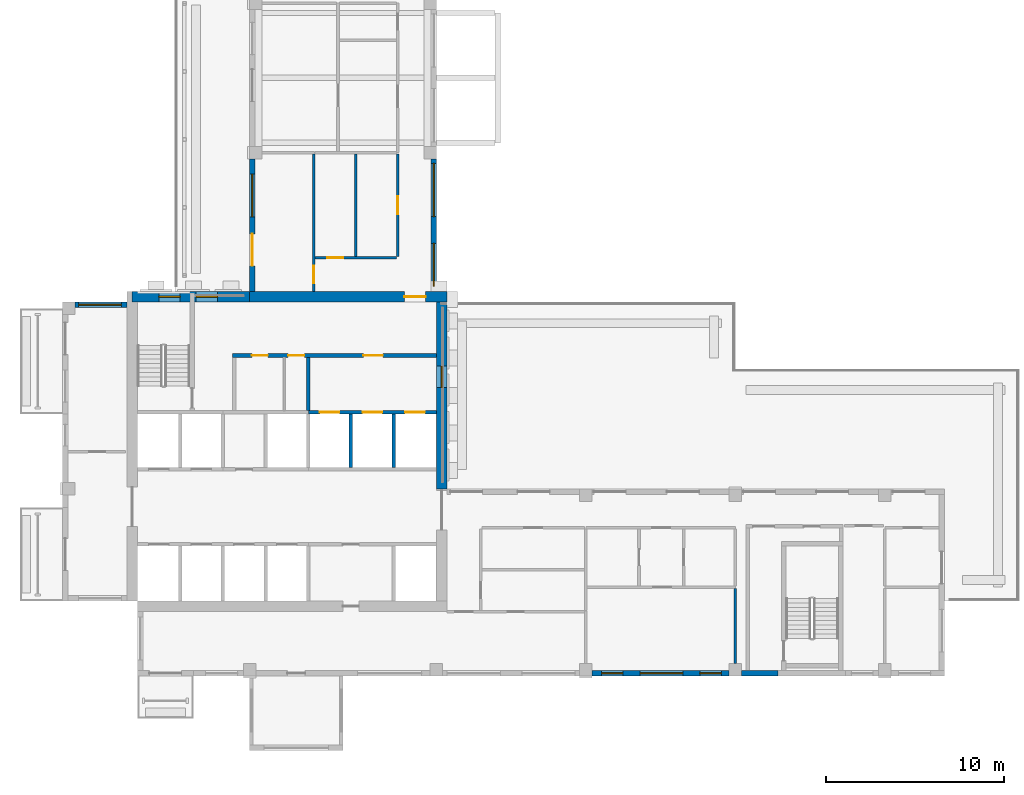
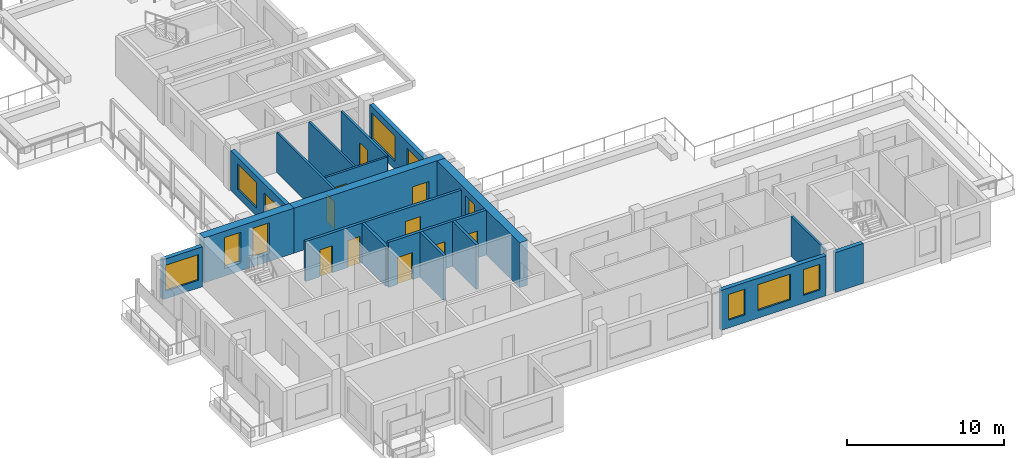
# One storey, part 5 of 12: 18 walls, 11 doors, 10 windows, 21 openings.
"""IFC4 building model written with IfcOpenShell, lengths in metres."""

from ifc_helpers import new_model, si_unit, direction, frame, frame_2d, origin, place, context, subcontext, project, spatial, rectangle, extrude, source, transform, mapped, material, layer, layer_set, type_object, element, fill, save


model = new_model("IFC4")

# Units and contexts
model_context = context("Model", 3, precision=1e-05, world=origin(), true_north=direction((0.0, 1.0)))
body_context = subcontext(model_context, "Body", "Model", "MODEL_VIEW")
ifc_project = project(units=[si_unit("LENGTHUNIT", "METRE"), si_unit("AREAUNIT", "SQUARE_METRE"), si_unit("VOLUMEUNIT", "CUBIC_METRE"), si_unit("PLANEANGLEUNIT", "RADIAN"), si_unit("MASSUNIT", "GRAM", prefix="KILO")], contexts=[model_context])

# Site, building, storey
site_placement = place(None, origin())
site = spatial("IfcSite", under=ifc_project, at=site_placement, CompositionType="ELEMENT")
building_placement = place(site_placement, origin())
building = spatial("IfcBuilding", under=site, at=building_placement, Name="Aurelian Terraces", CompositionType="ELEMENT")
storey_placement = place(building_placement, frame((0.0, 0.0, 284.5)))
storey = spatial("IfcBuildingStorey", under=building, at=storey_placement, Name="L64", CompositionType="ELEMENT", Elevation=284.5)

# Wall, opening, door
ifc_material_1 = material(Name="Concrete fc' 55 MPa", Category="concrete")
ifc_layer_1 = layer(ifc_material_1, 0.6)
ifc_layer_set_1 = layer_set([ifc_layer_1], Name="CORE WALL 600 FC55")
wall_type_1 = type_object("IfcWallType", Name="CORE WALL 600 FC55", PredefinedType="SHEAR", material=ifc_layer_set_1)
wall_1_placement = place(storey_placement, frame((10.5, 21.3, 0.0), z_axis=(0.0, 0.0, 1.0), x_axis=(1.0, 0.0, 0.0)))
wall_1 = element("IfcWall", 1, at=wall_1_placement, inside=storey, type_object=wall_type_1, Name="Core wall N L64", PredefinedType="SHEAR", context=body_context, shape_type="SweptSolid", body=[
    extrude(rectangle(XDim=11.1, YDim=0.6, at=frame_2d((5.55, 0.0))), origin(), (0.0, 0.0, 1.0), 3.5),
])
opening_1_placement = place(wall_1_placement, frame((8.7, 0.0, 0.0)))
opening_1 = element("IfcOpeningElement", 2, at=opening_1_placement, cuts=wall_1, Name="Opening 66723", PredefinedType="OPENING", context=body_context, shape_type="SweptSolid", body=[
    extrude(rectangle(XDim=1.2, YDim=2.1, at=frame_2d((0.6, 1.05))), frame((0.0, 0.31, 0.0), z_axis=(0.0, -1.0, 0.0), x_axis=(1.0, 0.0, 0.0)), (0.0, 0.0, 1.0), 0.62),
])
ifc_material_2 = material(Name="Steel door leaf", Category="steel")
door_type_1 = type_object("IfcDoorType", Name="Core fire door 1200x2100 right", OperationType="SINGLE_SWING_RIGHT", PredefinedType="DOOR", material=ifc_material_2)
shared_shape_1 = source(origin(), body_context, "Body", "SweptSolid", [
    extrude(rectangle(XDim=1.2, YDim=2.1, at=frame_2d((0.6, 1.05))), frame((0.0, 0.025, 0.0), z_axis=(0.0, -1.0, 0.0), x_axis=(1.0, 0.0, 0.0)), (0.0, 0.0, 1.0), 0.05),
])
door_1_placement = place(opening_1_placement, origin())
door_1 = element("IfcDoor", 3, at=door_1_placement, inside=storey, type_object=door_type_1, Name="Core door 66723", OperationType="SINGLE_SWING_RIGHT", OverallHeight=2.1, OverallWidth=1.2, PredefinedType="DOOR", context=body_context, shape_type="MappedRepresentation", body=[
    mapped(shared_shape_1, transform((0.0, 0.0, 0.0), scale=1.0)),
])
fill(opening_1, door_1)

# Wall, opening, window
wall_2_placement = place(storey_placement, frame((21.3, 10.5, 0.0), z_axis=(0.0, 0.0, 1.0), x_axis=(0.0, 1.0, 0.0)))
wall_2 = element("IfcWall", 4, at=wall_2_placement, inside=storey, type_object=wall_type_1, Name="Core wall E L64 exposed", PredefinedType="SHEAR", context=body_context, shape_type="SweptSolid", body=[
    extrude(rectangle(XDim=10.5, YDim=0.6, at=frame_2d((5.25, 0.0))), origin(), (0.0, 0.0, 1.0), 3.5),
])
opening_2_placement = place(wall_2_placement, frame((5.7, 0.0, 0.6)))
opening_2 = element("IfcOpeningElement", 5, at=opening_2_placement, cuts=wall_2, Name="Opening W-CL", PredefinedType="OPENING", context=body_context, shape_type="SweptSolid", body=[
    extrude(rectangle(XDim=1.2, YDim=2.4, at=frame_2d((0.6, 1.2))), frame((0.0, 0.31, 0.0), z_axis=(0.0, -1.0, 0.0), x_axis=(1.0, 0.0, 0.0)), (0.0, 0.0, 1.0), 0.62),
])
ifc_material_3 = material(Name="Fire-resisting glazing", Category="glass")
window_type_1 = type_object("IfcWindowType", Name="Core lobby window 1200x2400", PartitioningType="SINGLE_PANEL", PredefinedType="WINDOW", material=ifc_material_3)
window_1_placement = place(opening_2_placement, origin())
window_1 = element("IfcWindow", 6, at=window_1_placement, inside=storey, type_object=window_type_1, Name="Lobby window L64 E1", OverallHeight=2.4, OverallWidth=1.2, PartitioningType="SINGLE_PANEL", PredefinedType="WINDOW", context=body_context, shape_type="SweptSolid", body=[
    extrude(rectangle(XDim=1.2, YDim=2.4, at=frame_2d((0.6, 1.2))), frame((0.0, 0.03, 0.0), z_axis=(0.0, -1.0, 0.0), x_axis=(1.0, 0.0, 0.0)), (0.0, 0.0, 1.0), 0.06),
])
fill(opening_2, window_1)

# Wall, openings, windows
wall_3_placement = place(storey_placement, frame((3.9, 21.3, 0.0), z_axis=(0.0, 0.0, 1.0), x_axis=(1.0, 0.0, 0.0)))
wall_3 = element("IfcWall", 7, at=wall_3_placement, inside=storey, type_object=wall_type_1, Name="Core wall N L64 exposed", PredefinedType="SHEAR", context=body_context, shape_type="SweptSolid", body=[
    extrude(rectangle(XDim=6.6, YDim=0.6, at=frame_2d((3.3, 0.0))), origin(), (0.0, 0.0, 1.0), 3.5),
])
shared_shape_2 = source(origin(), body_context, "Body", "SweptSolid", [
    extrude(rectangle(XDim=1.2, YDim=2.4, at=frame_2d((0.6, 1.2))), frame((0.0, 0.31, 0.0), z_axis=(0.0, -1.0, 0.0), x_axis=(1.0, 0.0, 0.0)), (0.0, 0.0, 1.0), 0.62),
])
opening_3_placement = place(wall_3_placement, frame((1.5, 0.0, 0.6)))
opening_3 = element("IfcOpeningElement", 8, at=opening_3_placement, cuts=wall_3, Name="Opening W-CL", PredefinedType="OPENING", context=body_context, shape_type="MappedRepresentation", body=[
    mapped(shared_shape_2, transform((0.0, 0.0, 0.0), scale=1.0)),
])
opening_4_placement = place(wall_3_placement, frame((3.6, 0.0, 0.6)))
opening_4 = element("IfcOpeningElement", 9, at=opening_4_placement, cuts=wall_3, Name="Opening W-CL", PredefinedType="OPENING", context=body_context, shape_type="MappedRepresentation", body=[
    mapped(shared_shape_2, transform((0.0, 0.0, 0.0), scale=1.0)),
])
shared_shape_3 = source(origin(), body_context, "Body", "SweptSolid", [
    extrude(rectangle(XDim=1.2, YDim=2.4, at=frame_2d((0.6, 1.2))), frame((0.0, 0.03, 0.0), z_axis=(0.0, -1.0, 0.0), x_axis=(1.0, 0.0, 0.0)), (0.0, 0.0, 1.0), 0.06),
])
window_2_placement = place(opening_3_placement, origin())
window_2 = element("IfcWindow", 10, at=window_2_placement, inside=storey, type_object=window_type_1, Name="Lobby window L64 N2", OverallHeight=2.4, OverallWidth=1.2, PartitioningType="SINGLE_PANEL", PredefinedType="WINDOW", context=body_context, shape_type="MappedRepresentation", body=[
    mapped(shared_shape_3, transform((0.0, 0.0, 0.0), scale=1.0)),
])
fill(opening_3, window_2)
window_3_placement = place(opening_4_placement, origin())
window_3 = element("IfcWindow", 11, at=window_3_placement, inside=storey, type_object=window_type_1, Name="Lobby window L64 N3", OverallHeight=2.4, OverallWidth=1.2, PartitioningType="SINGLE_PANEL", PredefinedType="WINDOW", context=body_context, shape_type="MappedRepresentation", body=[
    mapped(shared_shape_3, transform((0.0, 0.0, 0.0), scale=1.0)),
])
fill(opening_4, window_3)

# Wall, openings, doors
ifc_material_4 = material(Name="Gypsum board on steel studs", Category="steel")
ifc_layer_2 = layer(ifc_material_4, 0.2)
ifc_layer_set_2 = layer_set([ifc_layer_2], Name="Core partition 200")
wall_type_2 = type_object("IfcWallType", Name="Core partition 200", PredefinedType="PARTITIONING", material=ifc_layer_set_2)
wall_4_placement = place(storey_placement, frame((9.55, 18.0, 0.0), z_axis=(0.0, 0.0, 1.0), x_axis=(1.0, 0.0, 0.0)))
wall_4 = element("IfcWall", 12, at=wall_4_placement, inside=storey, type_object=wall_type_2, Name="L64 core wall CP-NORTH", PredefinedType="PARTITIONING", context=body_context, shape_type="SweptSolid", body=[
    extrude(rectangle(XDim=11.45, YDim=0.2, at=frame_2d((5.725, 0.0))), origin(), (0.0, 0.0, 1.0), 3.1),
])
shared_shape_4 = source(origin(), body_context, "Body", "SweptSolid", [
    extrude(rectangle(XDim=0.9, YDim=2.1, at=frame_2d((0.45, 1.05))), frame((0.0, 0.11, 0.0), z_axis=(0.0, -1.0, 0.0), x_axis=(1.0, 0.0, 0.0)), (0.0, 0.0, 1.0), 0.22),
])
opening_5_placement = place(wall_4_placement, frame((1.075, 0.0, 0.0)))
opening_5 = element("IfcOpeningElement", 13, at=opening_5_placement, cuts=wall_4, Name="Opening 66712", PredefinedType="OPENING", context=body_context, shape_type="MappedRepresentation", body=[
    mapped(shared_shape_4, transform((0.0, 0.0, 0.0), scale=1.0)),
])
opening_6_placement = place(wall_4_placement, frame((3.125, 0.0, 0.0)))
opening_6 = element("IfcOpeningElement", 14, at=opening_6_placement, cuts=wall_4, Name="Opening 66713", PredefinedType="OPENING", context=body_context, shape_type="MappedRepresentation", body=[
    mapped(shared_shape_4, transform((0.0, 0.0, 0.0), scale=1.0)),
])
shared_shape_5 = source(origin(), body_context, "Body", "SweptSolid", [
    extrude(rectangle(XDim=1.1, YDim=2.1, at=frame_2d((0.55, 1.05))), frame((0.0, 0.11, 0.0), z_axis=(0.0, -1.0, 0.0), x_axis=(1.0, 0.0, 0.0)), (0.0, 0.0, 1.0), 0.22),
])
opening_7_placement = place(wall_4_placement, frame((7.35, 0.0, 0.0)))
opening_7 = element("IfcOpeningElement", 15, at=opening_7_placement, cuts=wall_4, Name="Opening 66714", PredefinedType="OPENING", context=body_context, shape_type="MappedRepresentation", body=[
    mapped(shared_shape_5, transform((0.0, 0.0, 0.0), scale=1.0)),
])
door_type_2 = type_object("IfcDoorType", Name="Core service door 900x2100 right", OperationType="SINGLE_SWING_RIGHT", PredefinedType="DOOR", material=ifc_material_2)
shared_shape_6 = source(origin(), body_context, "Body", "SweptSolid", [
    extrude(rectangle(XDim=0.9, YDim=2.1, at=frame_2d((0.45, 1.05))), frame((0.0, 0.025, 0.0), z_axis=(0.0, -1.0, 0.0), x_axis=(1.0, 0.0, 0.0)), (0.0, 0.0, 1.0), 0.05),
])
door_2_placement = place(opening_5_placement, origin())
door_2 = element("IfcDoor", 16, at=door_2_placement, inside=storey, type_object=door_type_2, Name="Room door 66712", OperationType="SINGLE_SWING_RIGHT", OverallHeight=2.1, OverallWidth=0.9, PredefinedType="DOOR", context=body_context, shape_type="MappedRepresentation", body=[
    mapped(shared_shape_6, transform((0.0, 0.0, 0.0), scale=1.0)),
])
fill(opening_5, door_2)
door_type_3 = type_object("IfcDoorType", Name="Core riser door 900x2100", OperationType="SINGLE_SWING_LEFT", PredefinedType="DOOR", material=ifc_material_2)
door_3_placement = place(opening_6_placement, origin())
door_3 = element("IfcDoor", 17, at=door_3_placement, inside=storey, type_object=door_type_3, Name="Room door 66713", OperationType="SINGLE_SWING_LEFT", OverallHeight=2.1, OverallWidth=0.9, PredefinedType="DOOR", context=body_context, shape_type="MappedRepresentation", body=[
    mapped(shared_shape_6, transform((0.0, 0.0, 0.0), scale=1.0)),
])
fill(opening_6, door_3)
door_type_4 = type_object("IfcDoorType", Name="Core fire door 1100x2100 right", OperationType="SINGLE_SWING_RIGHT", PredefinedType="DOOR", material=ifc_material_2)
shared_shape_7 = source(origin(), body_context, "Body", "SweptSolid", [
    extrude(rectangle(XDim=1.1, YDim=2.1, at=frame_2d((0.55, 1.05))), frame((0.0, 0.025, 0.0), z_axis=(0.0, -1.0, 0.0), x_axis=(1.0, 0.0, 0.0)), (0.0, 0.0, 1.0), 0.05),
])
door_4_placement = place(opening_7_placement, origin())
door_4 = element("IfcDoor", 18, at=door_4_placement, inside=storey, type_object=door_type_4, Name="Ff lobby door 66714", OperationType="SINGLE_SWING_RIGHT", OverallHeight=2.1, OverallWidth=1.1, PredefinedType="DOOR", context=body_context, shape_type="MappedRepresentation", body=[
    mapped(shared_shape_7, transform((0.0, 0.0, 0.0), scale=1.0)),
])
fill(opening_7, door_4)

# Wall
ifc_material_5 = material(Name="Terracotta rainscreen cladding", Category="masonry")
ifc_layer_3 = layer(ifc_material_5, 0.3)
ifc_layer_set_3 = layer_set([ifc_layer_3], Name="EW-300")
wall_type_3 = type_object("IfcWallType", Name="EW-300", PredefinedType="STANDARD", material=ifc_layer_set_3)
wall_5_placement = place(storey_placement, frame((38.15, 0.15, 0.0), z_axis=(0.0, 0.0, 1.0), x_axis=(1.0, 0.0, 0.0)))
element("IfcWall", 19, at=wall_5_placement, inside=storey, type_object=wall_type_3, Name="External wall L64 F01.6", PredefinedType="STANDARD", context=body_context, shape_type="SweptSolid", body=[
    extrude(rectangle(XDim=2.05, YDim=0.3, at=frame_2d((1.025, 0.0))), origin(), (0.0, 0.0, 1.0), 3.1),
])

# Wall, opening, window
wall_6_placement = place(storey_placement, frame((3.6, 20.85, 0.0), z_axis=(0.0, 0.0, 1.0), x_axis=(-1.0, 0.0, 0.0)))
wall_6 = element("IfcWall", 20, at=wall_6_placement, inside=storey, type_object=wall_type_3, Name="External wall L64 F11.20", PredefinedType="STANDARD", context=body_context, shape_type="SweptSolid", body=[
    extrude(rectangle(XDim=2.9, YDim=0.3, at=frame_2d((1.45, 0.0))), origin(), (0.0, 0.0, 1.0), 3.1),
])
shared_shape_8 = source(origin(), body_context, "Body", "SweptSolid", [
    extrude(rectangle(XDim=2.4, YDim=2.0, at=frame_2d((1.2, 1.0))), frame((0.0, 0.16, 0.0), z_axis=(0.0, -1.0, 0.0), x_axis=(1.0, 0.0, 0.0)), (0.0, 0.0, 1.0), 0.32),
])
opening_8_placement = place(wall_6_placement, frame((0.3, 0.0, 0.6)))
opening_8 = element("IfcOpeningElement", 21, at=opening_8_placement, cuts=wall_6, Name="Opening W2420", PredefinedType="OPENING", context=body_context, shape_type="MappedRepresentation", body=[
    mapped(shared_shape_8, transform((0.0, 0.0, 0.0), scale=1.0)),
])
ifc_material_6 = material(Name="Clear glazing", Category="glass")
window_type_2 = type_object("IfcWindowType", Name="W-2400x2000", PartitioningType="SINGLE_PANEL", PredefinedType="WINDOW", material=ifc_material_6)
shared_shape_9 = source(origin(), body_context, "Body", "SweptSolid", [
    extrude(rectangle(XDim=2.4, YDim=2.0, at=frame_2d((1.2, 1.0))), frame((0.0, 0.03, 0.0), z_axis=(0.0, -1.0, 0.0), x_axis=(1.0, 0.0, 0.0)), (0.0, 0.0, 1.0), 0.06),
])
window_4_placement = place(opening_8_placement, origin())
window_4 = element("IfcWindow", 22, at=window_4_placement, inside=storey, type_object=window_type_2, Name="Window L64 L64-F11-20-0", OverallHeight=2.0, OverallWidth=2.4, PartitioningType="SINGLE_PANEL", PredefinedType="WINDOW", context=body_context, shape_type="MappedRepresentation", body=[
    mapped(shared_shape_9, transform((0.0, 0.0, 0.0), scale=1.0)),
])
fill(opening_8, window_4)

# Wall
ifc_layer_4 = layer(ifc_material_4, 0.15)
ifc_layer_set_4 = layer_set([ifc_layer_4], Name="Fire partition 150")
wall_type_4 = type_object("IfcWallType", Name="Fire partition 150", PredefinedType="PARTITIONING", material=ifc_layer_set_4)
wall_7_placement = place(storey_placement, frame((37.8, 0.699, 0.0), z_axis=(0.0, 0.0, 1.0), x_axis=(0.0, 1.0, 0.0)))
element("IfcWall", 23, at=wall_7_placement, inside=storey, type_object=wall_type_4, Name="Party wall", PredefinedType="PARTITIONING", context=body_context, shape_type="SweptSolid", body=[
    extrude(rectangle(XDim=4.201, YDim=0.15, at=frame_2d((2.1005, 0.0))), origin(), (0.0, 0.0, 1.0), 3.1),
])

# Wall, openings, windows
shared_shape_10 = source(origin(), body_context, "Body", "SweptSolid", [
    extrude(rectangle(XDim=7.7, YDim=0.3, at=frame_2d((3.85, 0.0))), origin(), (0.0, 0.0, 1.0), 3.1),
])
wall_8_placement = place(storey_placement, frame((29.75, 0.15, 0.0), z_axis=(0.0, 0.0, 1.0), x_axis=(1.0, 0.0, 0.0)))
wall_8 = element("IfcWall", 24, at=wall_8_placement, inside=storey, type_object=wall_type_3, Name="External wall L64 F01.5", PredefinedType="STANDARD", context=body_context, shape_type="MappedRepresentation", body=[
    mapped(shared_shape_10, transform((0.0, 0.0, 0.0), scale=1.0)),
])
opening_9_placement = place(wall_8_placement, frame((0.5375, 0.0, 0.6)))
opening_9 = element("IfcOpeningElement", 25, at=opening_9_placement, cuts=wall_8, Name="Opening W1220", PredefinedType="OPENING", context=body_context, shape_type="SweptSolid", body=[
    extrude(rectangle(XDim=1.2, YDim=2.0, at=frame_2d((0.6, 1.0))), frame((0.0, 0.16, 0.0), z_axis=(0.0, -1.0, 0.0), x_axis=(1.0, 0.0, 0.0)), (0.0, 0.0, 1.0), 0.32),
])
shared_shape_11 = source(origin(), body_context, "Body", "SweptSolid", [
    extrude(rectangle(XDim=1.2, YDim=2.0, at=frame_2d((0.6, 1.0))), frame((0.0, 0.16, 0.0), z_axis=(0.0, -1.0, 0.0), x_axis=(1.0, 0.0, 0.0)), (0.0, 0.0, 1.0), 0.32),
])
opening_10_placement = place(wall_8_placement, frame((6.0625, 0.0, 0.6)))
opening_10 = element("IfcOpeningElement", 26, at=opening_10_placement, cuts=wall_8, Name="Opening W1220", PredefinedType="OPENING", context=body_context, shape_type="MappedRepresentation", body=[
    mapped(shared_shape_11, transform((0.0, 0.0, 0.0), scale=1.0)),
])
opening_11_placement = place(wall_8_placement, frame((2.7, 0.0, 0.6)))
opening_11 = element("IfcOpeningElement", 27, at=opening_11_placement, cuts=wall_8, Name="Opening W2420", PredefinedType="OPENING", context=body_context, shape_type="SweptSolid", body=[
    extrude(rectangle(XDim=2.4, YDim=2.0, at=frame_2d((1.2, 1.0))), frame((0.0, 0.16, 0.0), z_axis=(0.0, -1.0, 0.0), x_axis=(1.0, 0.0, 0.0)), (0.0, 0.0, 1.0), 0.32),
])
window_type_3 = type_object("IfcWindowType", Name="W-1200x2000", PartitioningType="SINGLE_PANEL", PredefinedType="WINDOW", material=ifc_material_6)
window_5_placement = place(opening_9_placement, origin())
window_5 = element("IfcWindow", 28, at=window_5_placement, inside=storey, type_object=window_type_3, Name="Window L64 L64-F01-05-0", OverallHeight=2.0, OverallWidth=1.2, PartitioningType="SINGLE_PANEL", PredefinedType="WINDOW", context=body_context, shape_type="SweptSolid", body=[
    extrude(rectangle(XDim=1.2, YDim=2.0, at=frame_2d((0.6, 1.0))), frame((0.0, 0.03, 0.0), z_axis=(0.0, -1.0, 0.0), x_axis=(1.0, 0.0, 0.0)), (0.0, 0.0, 1.0), 0.06),
])
fill(opening_9, window_5)
window_6_placement = place(opening_11_placement, origin())
window_6 = element("IfcWindow", 29, at=window_6_placement, inside=storey, type_object=window_type_2, Name="Window L64 L64-F01-05-G0-21", OverallHeight=2.0, OverallWidth=2.4, PartitioningType="SINGLE_PANEL", PredefinedType="WINDOW", context=body_context, shape_type="SweptSolid", body=[
    extrude(rectangle(XDim=2.4, YDim=2.0, at=frame_2d((1.2, 1.0))), frame((0.0, 0.03, 0.0), z_axis=(0.0, -1.0, 0.0), x_axis=(1.0, 0.0, 0.0)), (0.0, 0.0, 1.0), 0.06),
])
fill(opening_11, window_6)
shared_shape_12 = source(origin(), body_context, "Body", "SweptSolid", [
    extrude(rectangle(XDim=1.2, YDim=2.0, at=frame_2d((0.6, 1.0))), frame((0.0, 0.03, 0.0), z_axis=(0.0, -1.0, 0.0), x_axis=(1.0, 0.0, 0.0)), (0.0, 0.0, 1.0), 0.06),
])
window_7_placement = place(opening_10_placement, origin())
window_7 = element("IfcWindow", 30, at=window_7_placement, inside=storey, type_object=window_type_3, Name="Window L64 L64-F01-05-1", OverallHeight=2.0, OverallWidth=1.2, PartitioningType="SINGLE_PANEL", PredefinedType="WINDOW", context=body_context, shape_type="MappedRepresentation", body=[
    mapped(shared_shape_12, transform((0.0, 0.0, 0.0), scale=1.0)),
])
fill(opening_10, window_7)

shared_shape_13 = source(origin(), body_context, "Body", "SweptSolid", [
    extrude(rectangle(XDim=7.45, YDim=0.3, at=frame_2d((3.725, 0.0))), origin(), (0.0, 0.0, 1.0), 3.1),
])
wall_9_placement = place(storey_placement, frame((20.85, 21.6, 0.0), z_axis=(0.0, 0.0, 1.0), x_axis=(0.0, 1.0, 0.0)))
wall_9 = element("IfcWall", 31, at=wall_9_placement, inside=storey, type_object=wall_type_3, Name="External wall L64 F04.11", PredefinedType="STANDARD", context=body_context, shape_type="MappedRepresentation", body=[
    mapped(shared_shape_13, transform((0.0, 0.0, 0.0), scale=1.0)),
])
opening_12_placement = place(wall_9_placement, frame((0.3, 0.0, 0.6)))
opening_12 = element("IfcOpeningElement", 32, at=opening_12_placement, cuts=wall_9, Name="Opening W2420", PredefinedType="OPENING", context=body_context, shape_type="MappedRepresentation", body=[
    mapped(shared_shape_8, transform((0.0, 0.0, 0.0), scale=1.0)),
])
shared_shape_14 = source(origin(), body_context, "Body", "SweptSolid", [
    extrude(rectangle(XDim=3.0, YDim=2.0, at=frame_2d((1.5, 1.0))), frame((0.0, 0.16, 0.0), z_axis=(0.0, -1.0, 0.0), x_axis=(1.0, 0.0, 0.0)), (0.0, 0.0, 1.0), 0.32),
])
opening_13_placement = place(wall_9_placement, frame((4.2, 0.0, 0.6)))
opening_13 = element("IfcOpeningElement", 33, at=opening_13_placement, cuts=wall_9, Name="Opening W3020", PredefinedType="OPENING", context=body_context, shape_type="MappedRepresentation", body=[
    mapped(shared_shape_14, transform((0.0, 0.0, 0.0), scale=1.0)),
])
window_type_4 = type_object("IfcWindowType", Name="W-3000x2000", PartitioningType="SINGLE_PANEL", PredefinedType="WINDOW", material=ifc_material_6)
shared_shape_15 = source(origin(), body_context, "Body", "SweptSolid", [
    extrude(rectangle(XDim=3.0, YDim=2.0, at=frame_2d((1.5, 1.0))), frame((0.0, 0.03, 0.0), z_axis=(0.0, -1.0, 0.0), x_axis=(1.0, 0.0, 0.0)), (0.0, 0.0, 1.0), 0.06),
])
window_8_placement = place(opening_13_placement, origin())
window_8 = element("IfcWindow", 34, at=window_8_placement, inside=storey, type_object=window_type_4, Name="Window L64 L64-F04-11-1", OverallHeight=2.0, OverallWidth=3.0, PartitioningType="SINGLE_PANEL", PredefinedType="WINDOW", context=body_context, shape_type="MappedRepresentation", body=[
    mapped(shared_shape_15, transform((0.0, 0.0, 0.0), scale=1.0)),
])
fill(opening_13, window_8)
window_9_placement = place(opening_12_placement, origin())
window_9 = element("IfcWindow", 35, at=window_9_placement, inside=storey, type_object=window_type_2, Name="Window L64 L64-F04-11-0", OverallHeight=2.0, OverallWidth=2.4, PartitioningType="SINGLE_PANEL", PredefinedType="WINDOW", context=body_context, shape_type="MappedRepresentation", body=[
    mapped(shared_shape_9, transform((0.0, 0.0, 0.0), scale=1.0)),
])
fill(opening_12, window_9)

# Wall, openings, door, window
wall_10_placement = place(storey_placement, frame((10.65, 29.05, 0.0), z_axis=(0.0, 0.0, 1.0), x_axis=(0.0, -1.0, 0.0)))
wall_10 = element("IfcWall", 36, at=wall_10_placement, inside=storey, type_object=wall_type_3, Name="External wall L64 F06.15", PredefinedType="STANDARD", context=body_context, shape_type="MappedRepresentation", body=[
    mapped(shared_shape_13, transform((0.0, 0.0, 0.0), scale=1.0)),
])
shared_shape_16 = source(origin(), body_context, "Body", "SweptSolid", [
    extrude(rectangle(XDim=1.8, YDim=2.4, at=frame_2d((0.9, 1.2))), frame((0.0, 0.16, 0.0), z_axis=(0.0, -1.0, 0.0), x_axis=(1.0, 0.0, 0.0)), (0.0, 0.0, 1.0), 0.32),
])
opening_14_placement = place(wall_10_placement, frame((4.21, 0.0, 0.0)))
opening_14 = element("IfcOpeningElement", 37, at=opening_14_placement, cuts=wall_10, Name="Opening 86411", PredefinedType="OPENING", context=body_context, shape_type="MappedRepresentation", body=[
    mapped(shared_shape_16, transform((0.0, 0.0, 0.0), scale=1.0)),
])
opening_15_placement = place(wall_10_placement, frame((0.855, 0.0, 0.6)))
opening_15 = element("IfcOpeningElement", 38, at=opening_15_placement, cuts=wall_10, Name="Opening W2420", PredefinedType="OPENING", context=body_context, shape_type="MappedRepresentation", body=[
    mapped(shared_shape_8, transform((0.0, 0.0, 0.0), scale=1.0)),
])
door_type_5 = type_object("IfcDoorType", Name="BD-1800x2400", OperationType="SLIDING_TO_LEFT", PredefinedType="DOOR", material=ifc_material_6)
shared_shape_17 = source(origin(), body_context, "Body", "SweptSolid", [
    extrude(rectangle(XDim=1.8, YDim=2.4, at=frame_2d((0.9, 1.2))), frame((0.0, 0.025, 0.0), z_axis=(0.0, -1.0, 0.0), x_axis=(1.0, 0.0, 0.0)), (0.0, 0.0, 1.0), 0.05),
])
door_5_placement = place(opening_14_placement, origin())
door_5 = element("IfcDoor", 39, at=door_5_placement, inside=storey, type_object=door_type_5, Name="Terrace door L64 L64-F06-15.5", OperationType="SLIDING_TO_LEFT", OverallHeight=2.4, OverallWidth=1.8, PredefinedType="DOOR", context=body_context, shape_type="MappedRepresentation", body=[
    mapped(shared_shape_17, transform((0.0, 0.0, 0.0), scale=1.0)),
])
fill(opening_14, door_5)
window_10_placement = place(opening_15_placement, origin())
window_10 = element("IfcWindow", 40, at=window_10_placement, inside=storey, type_object=window_type_2, Name="Window L64 L64-F06-15-G2-146", OverallHeight=2.0, OverallWidth=2.4, PartitioningType="SINGLE_PANEL", PredefinedType="WINDOW", context=body_context, shape_type="MappedRepresentation", body=[
    mapped(shared_shape_9, transform((0.0, 0.0, 0.0), scale=1.0)),
])
fill(opening_15, window_10)

# Walls
ifc_material_7 = material(Name="Concrete fc' 40 MPa", Category="concrete")
ifc_layer_5 = layer(ifc_material_7, 0.2)
ifc_layer_set_5 = layer_set([ifc_layer_5], Name="Lift shaft wall 200")
wall_type_5 = type_object("IfcWallType", Name="Lift shaft wall 200", PredefinedType="SOLIDWALL", material=ifc_layer_set_5)
shared_shape_18 = source(origin(), body_context, "Body", "SweptSolid", [
    extrude(rectangle(XDim=3.0, YDim=0.2, at=frame_2d((1.5, 0.0))), origin(), (0.0, 0.0, 1.0), 3.5),
])
for number, where, z_axis, x_axis, name in (
    (41, (16.2, 11.7, 0.0), (0.0, 0.0, 1.0), (0.0, 1.0, 0.0), "L64 core wall CD-B5"),
    (42, (18.6, 11.7, 0.0), (0.0, 0.0, 1.0), (0.0, 1.0, 0.0), "L64 core wall CD-B6"),
):
    element("IfcWall", number, at=place(storey_placement, frame(where, z_axis=z_axis, x_axis=x_axis)), inside=storey, type_object=wall_type_5, Name=name, PredefinedType="SOLIDWALL", context=body_context, shape_type="MappedRepresentation", body=[
        mapped(shared_shape_18, transform((0.0, 0.0, 0.0), scale=1.0)),
    ])

# Wall, openings, doors
shared_shape_19 = source(origin(), body_context, "Body", "SweptSolid", [
    extrude(rectangle(XDim=7.2, YDim=0.2, at=frame_2d((3.6, 0.0))), origin(), (0.0, 0.0, 1.0), 3.5),
])
wall_11_placement = place(storey_placement, frame((13.8, 14.8, 0.0), z_axis=(0.0, 0.0, 1.0), x_axis=(1.0, 0.0, 0.0)))
wall_11 = element("IfcWall", 43, at=wall_11_placement, inside=storey, type_object=wall_type_5, Name="L64 core wall CF-BB3", PredefinedType="SOLIDWALL", context=body_context, shape_type="MappedRepresentation", body=[
    mapped(shared_shape_19, transform((0.0, 0.0, 0.0), scale=1.0)),
])
opening_16_placement = place(wall_11_placement, frame((0.65, 0.0, 0.0)))
opening_16 = element("IfcOpeningElement", 44, at=opening_16_placement, cuts=wall_11, Name="Opening 66708", PredefinedType="OPENING", context=body_context, shape_type="MappedRepresentation", body=[
    mapped(shared_shape_5, transform((0.0, 0.0, 0.0), scale=1.0)),
])
opening_17_placement = place(wall_11_placement, frame((3.05, 0.0, 0.0)))
opening_17 = element("IfcOpeningElement", 45, at=opening_17_placement, cuts=wall_11, Name="Opening 66709", PredefinedType="OPENING", context=body_context, shape_type="MappedRepresentation", body=[
    mapped(shared_shape_5, transform((0.0, 0.0, 0.0), scale=1.0)),
])
opening_18_placement = place(wall_11_placement, frame((5.45, 0.0, 0.0)))
opening_18 = element("IfcOpeningElement", 46, at=opening_18_placement, cuts=wall_11, Name="Opening 66710", PredefinedType="OPENING", context=body_context, shape_type="MappedRepresentation", body=[
    mapped(shared_shape_5, transform((0.0, 0.0, 0.0), scale=1.0)),
])
ifc_material_8 = material(Name="Stainless steel", Category="steel")
door_type_6 = type_object("IfcDoorType", Name="Lift landing door 1100x2100", OperationType="SLIDING_TO_LEFT", PredefinedType="DOOR", material=ifc_material_8)
door_6_placement = place(opening_16_placement, origin())
door_6 = element("IfcDoor", 47, at=door_6_placement, inside=storey, type_object=door_type_6, Name="Lift landing door F1 L64", OperationType="SLIDING_TO_LEFT", OverallHeight=2.1, OverallWidth=1.1, PredefinedType="DOOR", context=body_context, shape_type="MappedRepresentation", body=[
    mapped(shared_shape_7, transform((0.0, 0.0, 0.0), scale=1.0)),
])
fill(opening_16, door_6)
door_7_placement = place(opening_17_placement, origin())
door_7 = element("IfcDoor", 48, at=door_7_placement, inside=storey, type_object=door_type_6, Name="Lift landing door F2 L64", OperationType="SLIDING_TO_LEFT", OverallHeight=2.1, OverallWidth=1.1, PredefinedType="DOOR", context=body_context, shape_type="MappedRepresentation", body=[
    mapped(shared_shape_7, transform((0.0, 0.0, 0.0), scale=1.0)),
])
fill(opening_17, door_7)
door_8_placement = place(opening_18_placement, origin())
door_8 = element("IfcDoor", 49, at=door_8_placement, inside=storey, type_object=door_type_6, Name="Lift landing door F3 L64", OperationType="SLIDING_TO_LEFT", OverallHeight=2.1, OverallWidth=1.1, PredefinedType="DOOR", context=body_context, shape_type="MappedRepresentation", body=[
    mapped(shared_shape_7, transform((0.0, 0.0, 0.0), scale=1.0)),
])
fill(opening_18, door_8)

# Wall
shared_shape_20 = source(origin(), body_context, "Body", "SweptSolid", [
    extrude(rectangle(XDim=3.0, YDim=0.2, at=frame_2d((1.5, 0.0))), origin(), (0.0, 0.0, 1.0), 3.1),
])
wall_12_placement = place(storey_placement, frame((13.8, 14.9, 0.0), z_axis=(0.0, 0.0, 1.0), x_axis=(0.0, 1.0, 0.0)))
element("IfcWall", 50, at=wall_12_placement, inside=storey, type_object=wall_type_2, Name="L64 core wall CP-FFL", PredefinedType="PARTITIONING", context=body_context, shape_type="MappedRepresentation", body=[
    mapped(shared_shape_20, transform((0.0, 0.0, 0.0), scale=1.0)),
])

# Wall, opening, door
ifc_layer_6 = layer(ifc_material_4, 0.15)
ifc_layer_set_6 = layer_set([ifc_layer_6], Name="Partition 150")
wall_type_6 = type_object("IfcWallType", Name="Partition 150", PredefinedType="PARTITIONING", material=ifc_layer_set_6)
shared_shape_21 = source(origin(), body_context, "Body", "SweptSolid", [
    extrude(rectangle(XDim=4.575, YDim=0.15, at=frame_2d((2.2875, 0.0))), origin(), (0.0, 0.0, 1.0), 3.1),
])
wall_13_placement = place(storey_placement, frame((14.175, 23.5, 0.0), z_axis=(0.0, 0.0, 1.0), x_axis=(1.0, 0.0, 0.0)))
wall_13 = element("IfcWall", 51, at=wall_13_placement, inside=storey, type_object=wall_type_6, Name="Partition", PredefinedType="PARTITIONING", context=body_context, shape_type="MappedRepresentation", body=[
    mapped(shared_shape_21, transform((0.0, 0.0, 0.0), scale=1.0)),
])
shared_shape_22 = source(origin(), body_context, "Body", "SweptSolid", [
    extrude(rectangle(XDim=0.9, YDim=2.1, at=frame_2d((0.45, 1.05))), frame((0.0, 0.085, 0.0), z_axis=(0.0, -1.0, 0.0), x_axis=(1.0, 0.0, 0.0)), (0.0, 0.0, 1.0), 0.17),
])
opening_19_placement = place(wall_13_placement, frame((0.694, 0.0, 0.0)))
opening_19 = element("IfcOpeningElement", 52, at=opening_19_placement, cuts=wall_13, Name="Opening 764011", PredefinedType="OPENING", context=body_context, shape_type="MappedRepresentation", body=[
    mapped(shared_shape_22, transform((0.0, 0.0, 0.0), scale=1.0)),
])
ifc_material_9 = material(Name="Timber door leaf", Category="wood")
door_type_7 = type_object("IfcDoorType", Name="Room door 900x2100 right", OperationType="SINGLE_SWING_RIGHT", PredefinedType="DOOR", material=ifc_material_9)
door_9_placement = place(opening_19_placement, origin())
door_9 = element("IfcDoor", 53, at=door_9_placement, inside=storey, type_object=door_type_7, Name="Door 764011", OperationType="SINGLE_SWING_RIGHT", OverallHeight=2.1, OverallWidth=0.9, PredefinedType="DOOR", context=body_context, shape_type="MappedRepresentation", body=[
    mapped(shared_shape_6, transform((0.0, 0.0, 0.0), scale=1.0)),
])
fill(opening_19, door_9)

shared_shape_23 = source(origin(), body_context, "Body", "SweptSolid", [
    extrude(rectangle(XDim=5.75, YDim=0.15, at=frame_2d((2.875, 0.0))), origin(), (0.0, 0.0, 1.0), 3.1),
])
wall_14_placement = place(storey_placement, frame((18.825, 23.575, 0.0), z_axis=(0.0, 0.0, 1.0), x_axis=(0.0, 1.0, 0.0)))
wall_14 = element("IfcWall", 54, at=wall_14_placement, inside=storey, type_object=wall_type_4, Name="Corridor wall", PredefinedType="PARTITIONING", context=body_context, shape_type="MappedRepresentation", body=[
    mapped(shared_shape_23, transform((0.0, 0.0, 0.0), scale=1.0)),
])
shared_shape_24 = source(origin(), body_context, "Body", "SweptSolid", [
    extrude(rectangle(XDim=1.0, YDim=2.1, at=frame_2d((0.5, 1.05))), frame((0.0, 0.085, 0.0), z_axis=(0.0, -1.0, 0.0), x_axis=(1.0, 0.0, 0.0)), (0.0, 0.0, 1.0), 0.17),
])
opening_20_placement = place(wall_14_placement, frame((2.375, 0.0, 0.0)))
opening_20 = element("IfcOpeningElement", 55, at=opening_20_placement, cuts=wall_14, Name="Opening 764010", PredefinedType="OPENING", context=body_context, shape_type="MappedRepresentation", body=[
    mapped(shared_shape_24, transform((0.0, 0.0, 0.0), scale=1.0)),
])
door_type_8 = type_object("IfcDoorType", Name="Entrance fire door 1000x2100 left", OperationType="SINGLE_SWING_LEFT", PredefinedType="DOOR", material=ifc_material_2)
shared_shape_25 = source(origin(), body_context, "Body", "SweptSolid", [
    extrude(rectangle(XDim=1.0, YDim=2.1, at=frame_2d((0.5, 1.05))), frame((0.0, 0.025, 0.0), z_axis=(0.0, -1.0, 0.0), x_axis=(1.0, 0.0, 0.0)), (0.0, 0.0, 1.0), 0.05),
])
door_10_placement = place(opening_20_placement, origin())
door_10 = element("IfcDoor", 56, at=door_10_placement, inside=storey, type_object=door_type_8, Name="Door 764010", OperationType="SINGLE_SWING_LEFT", OverallHeight=2.1, OverallWidth=1.0, PredefinedType="DOOR", context=body_context, shape_type="MappedRepresentation", body=[
    mapped(shared_shape_25, transform((0.0, 0.0, 0.0), scale=1.0)),
])
fill(opening_20, door_10)

# Wall
wall_15_placement = place(storey_placement, frame((16.463, 23.575, 0.0), z_axis=(0.0, 0.0, 1.0), x_axis=(0.0, 1.0, 0.0)))
element("IfcWall", 57, at=wall_15_placement, inside=storey, type_object=wall_type_6, Name="Partition", PredefinedType="PARTITIONING", context=body_context, shape_type="MappedRepresentation", body=[
    mapped(shared_shape_23, transform((0.0, 0.0, 0.0), scale=1.0)),
])

# Wall, opening, door
shared_shape_26 = source(origin(), body_context, "Body", "SweptSolid", [
    extrude(rectangle(XDim=7.725, YDim=0.15, at=frame_2d((3.8625, 0.0))), origin(), (0.0, 0.0, 1.0), 3.1),
])
wall_16_placement = place(storey_placement, frame((14.1, 29.325, 0.0), z_axis=(0.0, 0.0, 1.0), x_axis=(0.0, -1.0, 0.0)))
wall_16 = element("IfcWall", 58, at=wall_16_placement, inside=storey, type_object=wall_type_6, Name="Partition", PredefinedType="PARTITIONING", context=body_context, shape_type="MappedRepresentation", body=[
    mapped(shared_shape_26, transform((0.0, 0.0, 0.0), scale=1.0)),
])
opening_21_placement = place(wall_16_placement, frame((6.275, 0.0, 0.0)))
opening_21 = element("IfcOpeningElement", 59, at=opening_21_placement, cuts=wall_16, Name="Opening 764013", PredefinedType="OPENING", context=body_context, shape_type="MappedRepresentation", body=[
    mapped(shared_shape_24, transform((0.0, 0.0, 0.0), scale=1.0)),
])
door_type_9 = type_object("IfcDoorType", Name="Room door 1000x2100 right", OperationType="SINGLE_SWING_RIGHT", PredefinedType="DOOR", material=ifc_material_9)
door_11_placement = place(opening_21_placement, origin())
door_11 = element("IfcDoor", 60, at=door_11_placement, inside=storey, type_object=door_type_9, Name="Door 764013", OperationType="SINGLE_SWING_RIGHT", OverallHeight=2.1, OverallWidth=1.0, PredefinedType="DOOR", context=body_context, shape_type="MappedRepresentation", body=[
    mapped(shared_shape_25, transform((0.0, 0.0, 0.0), scale=1.0)),
])
fill(opening_21, door_11)

save(model, "model.ifc")
